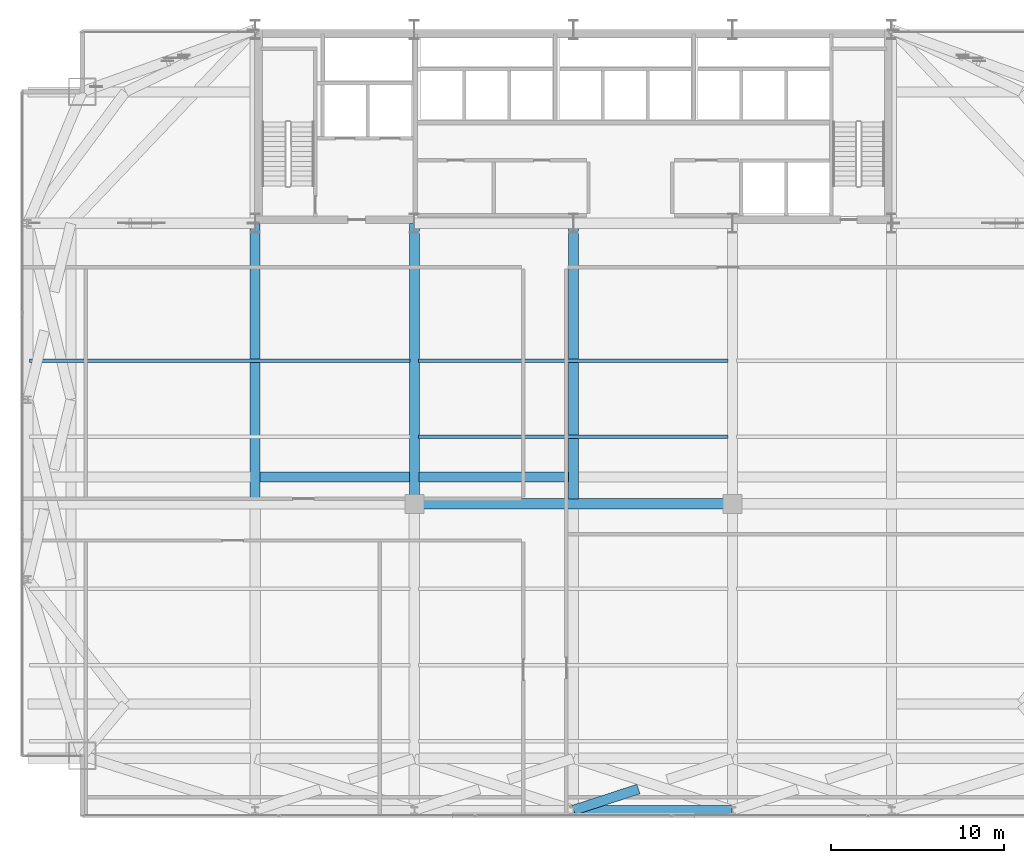
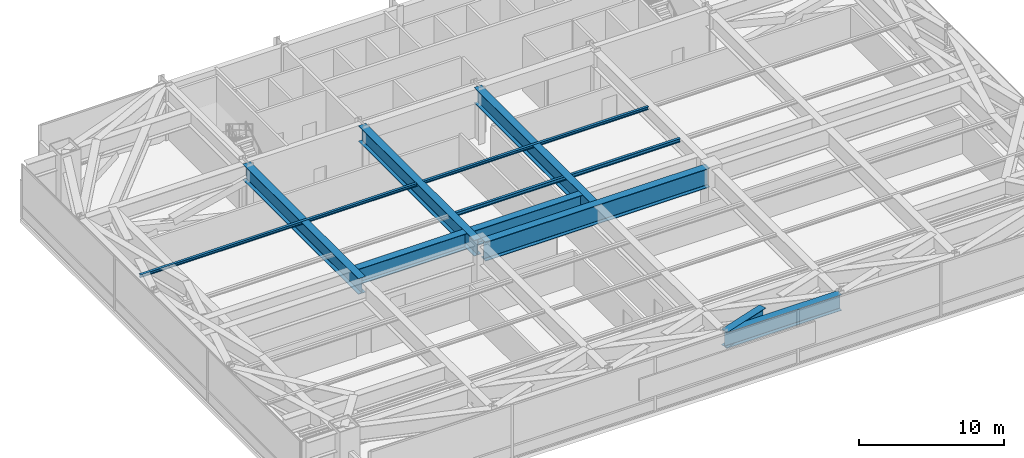
# One storey, part 11 of 30: 11 beams.
"""IFC4 building model written with IfcOpenShell, lengths in metres."""

from ifc_helpers import new_model, si_unit, direction, frame, origin, origin_2d, place, context, subcontext, project, spatial, i_section, extrude, source, transform, mapped, material, material_profile, profile_set, type_object, type_shapes, element, save


model = new_model("IFC4")

# Units and contexts
model_context = context("Model", 3, precision=1e-05, world=origin(), true_north=direction((0.0, 1.0)))
body_context = subcontext(model_context, "Body", "Model", "MODEL_VIEW")
ifc_project = project(units=[si_unit("LENGTHUNIT", "METRE"), si_unit("AREAUNIT", "SQUARE_METRE"), si_unit("VOLUMEUNIT", "CUBIC_METRE"), si_unit("PLANEANGLEUNIT", "RADIAN"), si_unit("MASSUNIT", "GRAM", prefix="KILO")], contexts=[model_context])

# Site, building, storey
site_placement = place(None, origin())
site = spatial("IfcSite", under=ifc_project, at=site_placement, CompositionType="ELEMENT")
building_placement = place(site_placement, origin())
building = spatial("IfcBuilding", under=site, at=building_placement, Name="Varnel Quay Broadcast Tower", CompositionType="ELEMENT")
storey_placement = place(building_placement, frame((0.0, 0.0, 82.199951171875)))
storey = spatial("IfcBuildingStorey", under=building, at=storey_placement, Name="L19", CompositionType="ELEMENT", Elevation=82.199951171875)

# Beams
ifc_material_1 = material(Name="Structural Steel CSA G40.21 350WT", Category="steel")
ifc_material_profile_1 = material_profile(ifc_material_1, i_section(OverallWidth=0.580078125, OverallDepth=1.330078125, WebThickness=0.02197265625, FlangeThickness=0.0380859375, FilletRadius=0.02001953125, at=origin_2d()), Name="WWF1330X535")
ifc_profile_set_1 = profile_set([ifc_material_profile_1], Name="Structural Steel CSA G40.21 350WT")
beam_type_1 = type_object("IfcBeamType", Name="Girder_WWF1330X535", PredefinedType="BEAM", material=ifc_profile_set_1)
shared_shape_1 = source(origin(), body_context, "Body", "SweptSolid", [
    extrude(i_section(OverallWidth=0.580078125, OverallDepth=1.330078125, WebThickness=0.02197265625, FlangeThickness=0.0380859375, FilletRadius=0.02001953125, at=origin_2d()), origin(), (0.0, 0.0, 1.0), 9.159912109375),
])
beam_1_placement = place(storey_placement, frame((34.02001953125, 1.64990234375, 3.885009765625), z_axis=(1.0, 0.0, 0.0), x_axis=(0.0, 1.0, 0.0)))
element("IfcBeam", 1, at=beam_1_placement, inside=storey, type_object=beam_type_1, Name="L19 Perimeter Transfer Spine TC-S3-TC-S4", PredefinedType="BEAM", context=body_context, shape_type="MappedRepresentation", body=[
    mapped(shared_shape_1, transform((0.0, 0.0, 0.0), x_axis=(1.0, 0.0, 0.0), y_axis=(0.0, 1.0, 0.0), z_axis=(0.0, 0.0, 1.0), scale=1.0)),
])
ifc_material_profile_2 = material_profile(ifc_material_1, i_section(OverallWidth=0.60009765625, OverallDepth=1.60009765625, WebThickness=0.02392578125, FlangeThickness=0.0419921875, FilletRadius=0.02197265625, at=origin_2d()), Name="WWF1600X620")
ifc_profile_set_2 = profile_set([ifc_material_profile_2], Name="Structural Steel CSA G40.21 350WT")
beam_type_2 = type_object("IfcBeamType", Name="Girder_WWF1600X620", PredefinedType="BEAM", material=ifc_profile_set_2)
shared_shape_2 = source(origin(), body_context, "Body", "SweptSolid", [
    extrude(i_section(OverallWidth=0.60009765625, OverallDepth=1.60009765625, WebThickness=0.02392578125, FlangeThickness=0.0419921875, FilletRadius=0.02197265625, at=origin_2d()), origin(), (0.0, 0.0, 1.0), 17.830078125),
])
type_shapes(beam_type_2, [shared_shape_2])
beam_2_placement = place(storey_placement, frame((25.0849609375, 19.3701171875, 3.75), z_axis=(1.0, 0.0, 0.0), x_axis=(0.0, 1.0, 0.0)))
element("IfcBeam", 2, at=beam_2_placement, inside=storey, type_object=beam_type_2, Name="L19 Mid Transfer Spine C", PredefinedType="BEAM", context=body_context, shape_type="MappedRepresentation", body=[
    mapped(shared_shape_2, transform((0.0, 0.0, 0.0), x_axis=(1.0, 0.0, 0.0), y_axis=(0.0, 1.0, 0.0), z_axis=(0.0, 0.0, 1.0), scale=1.0)),
])
shared_shape_3 = source(origin(), body_context, "Body", "SweptSolid", [
    extrude(i_section(OverallWidth=0.580078125, OverallDepth=1.330078125, WebThickness=0.02197265625, FlangeThickness=0.0380859375, FilletRadius=0.02001953125, at=origin_2d()), origin(), (0.0, 0.0, 1.0), 15.925048828125),
])
for number, where, z_axis, x_axis, name in (
    (3, (15.60009765625, 19.655029296875, 3.885009765625), (0.0, 1.0, 0.0), (-1.0, 0.0, 0.0), "L19 N-S Transfer Girder 1B"),
    (4, (24.800048828125, 19.655029296875, 3.885009765625), (0.0, 1.0, 0.0), (-1.0, 0.0, 0.0), "L19 N-S Transfer Girder 2B"),
    (5, (34.0, 19.655029296875, 3.885009765625), (0.0, 1.0, 0.0), (-1.0, 0.0, 0.0), "L19 N-S Transfer Girder 3B"),
):
    element("IfcBeam", number, at=place(storey_placement, frame(where, z_axis=z_axis, x_axis=x_axis)), inside=storey, type_object=beam_type_1, Name=name, PredefinedType="BEAM", context=body_context, shape_type="MappedRepresentation", body=[
        mapped(shared_shape_3, transform((0.0, 0.0, 0.0), x_axis=(1.0, 0.0, 0.0), y_axis=(0.0, 1.0, 0.0), z_axis=(0.0, 0.0, 1.0), scale=1.0)),
    ])
shared_shape_4 = source(origin(), body_context, "Body", "SweptSolid", [
    extrude(i_section(OverallWidth=0.580078125, OverallDepth=1.330078125, WebThickness=0.02197265625, FlangeThickness=0.0380859375, FilletRadius=0.02001953125, at=origin_2d()), origin(), (0.0, 0.0, 1.0), 8.6298828125),
])
beam_3_placement = place(storey_placement, frame((15.885009765625, 20.929931640625, 3.885009765625), z_axis=(1.0, 0.0, 0.0), x_axis=(0.0, 1.0, 0.0)))
element("IfcBeam", 6, at=beam_3_placement, inside=storey, type_object=beam_type_1, Name="L19 Setback Interior Column Transfer 2", PredefinedType="BEAM", context=body_context, shape_type="MappedRepresentation", body=[
    mapped(shared_shape_4, transform((0.0, 0.0, 0.0), x_axis=(1.0, 0.0, 0.0), y_axis=(0.0, 1.0, 0.0), z_axis=(0.0, 0.0, 1.0), scale=1.0)),
])
shared_shape_5 = source(origin(), body_context, "Body", "SweptSolid", [
    extrude(i_section(OverallWidth=0.580078125, OverallDepth=1.330078125, WebThickness=0.02197265625, FlangeThickness=0.0380859375, FilletRadius=0.02001953125, at=origin_2d()), origin(), (0.0, 0.0, 1.0), 8.630126953125),
])
beam_4_placement = place(storey_placement, frame((25.0849609375, 20.929931640625, 3.885009765625), z_axis=(1.0, 0.0, 0.0), x_axis=(0.0, 1.0, 0.0)))
element("IfcBeam", 7, at=beam_4_placement, inside=storey, type_object=beam_type_1, Name="L19 Setback Interior Column Transfer 3", PredefinedType="BEAM", context=body_context, shape_type="MappedRepresentation", body=[
    mapped(shared_shape_5, transform((0.0, 0.0, 0.0), x_axis=(1.0, 0.0, 0.0), y_axis=(0.0, 1.0, 0.0), z_axis=(0.0, 0.0, 1.0), scale=1.0)),
])
shared_shape_6 = source(origin(), body_context, "Body", "SweptSolid", [
    extrude(i_section(OverallWidth=0.580078125, OverallDepth=1.330078125, WebThickness=0.02197265625, FlangeThickness=0.0380859375, FilletRadius=0.02001953125, at=origin_2d()), origin(), (0.0, 0.0, 1.0), 3.939453125),
])
type_shapes(beam_type_1, [shared_shape_1, shared_shape_3, shared_shape_4, shared_shape_5, shared_shape_6])
beam_5_placement = place(storey_placement, frame((34.01904296875, 1.65625, 3.885009765625), z_axis=(0.950738972318, 0.309992591065, 0.0), x_axis=(-0.309992591065, 0.950738972318, 0.0)))
element("IfcBeam", 8, at=beam_5_placement, inside=storey, type_object=beam_type_1, Name="L19 X-Braced Transfer Tie TC-S4-TC-S3 Part 1", PredefinedType="BEAM", context=body_context, shape_type="MappedRepresentation", body=[
    mapped(shared_shape_6, transform((0.0, 0.0, 0.0), x_axis=(1.0, 0.0, 0.0), y_axis=(0.0, 1.0, 0.0), z_axis=(0.0, 0.0, 1.0), scale=1.0)),
])
ifc_material_2 = material(Name="Structural Steel CSA G40.21 350W", Category="steel")
ifc_material_profile_3 = material_profile(ifc_material_2, i_section(OverallWidth=0.202880859375, OverallDepth=0.302978515625, WebThickness=0.007568359375, FlangeThickness=0.01318359375, FilletRadius=0.011962890625, at=origin_2d()), Name="W310X60")
ifc_profile_set_3 = profile_set([ifc_material_profile_3], Name="Structural Steel CSA G40.21 350W")
beam_type_3 = type_object("IfcBeamType", Name="Beam_W310X60", PredefinedType="JOIST", material=ifc_profile_set_3)
shared_shape_7 = source(origin(), body_context, "Body", "SweptSolid", [
    extrude(i_section(OverallWidth=0.202880859375, OverallDepth=0.302978515625, WebThickness=0.007568359375, FlangeThickness=0.01318359375, FilletRadius=0.011962890625, at=origin_2d()), origin(), (0.0, 0.0, 1.0), 17.91015625),
])
type_shapes(beam_type_3, [shared_shape_7])
beam_6_placement = place(storey_placement, frame((25.044921875, 23.25, 4.3984375), z_axis=(1.0, 0.0, 0.0), x_axis=(0.0, 1.0, 0.0)))
element("IfcBeam", 9, at=beam_6_placement, inside=storey, type_object=beam_type_3, Name="L19 Central Floor Joist 5", PredefinedType="JOIST", context=body_context, shape_type="MappedRepresentation", body=[
    mapped(shared_shape_7, transform((0.0, 0.0, 0.0), x_axis=(1.0, 0.0, 0.0), y_axis=(0.0, 1.0, 0.0), z_axis=(0.0, 0.0, 1.0), scale=1.0)),
])
ifc_material_profile_4 = material_profile(ifc_material_2, i_section(OverallWidth=0.201904296875, OverallDepth=0.2470703125, WebThickness=0.00732421875, FlangeThickness=0.010986328125, FilletRadius=0.010986328125, at=origin_2d()), Name="W250X49")
ifc_profile_set_4 = profile_set([ifc_material_profile_4], Name="Structural Steel CSA G40.21 350W")
beam_type_4 = type_object("IfcBeamType", Name="Beam_W250X49", PredefinedType="JOIST", material=ifc_profile_set_4)
shared_shape_8 = source(origin(), body_context, "Body", "SweptSolid", [
    extrude(i_section(OverallWidth=0.201904296875, OverallDepth=0.2470703125, WebThickness=0.00732421875, FlangeThickness=0.010986328125, FilletRadius=0.010986328125, at=origin_2d()), origin(), (0.0, 0.0, 1.0), 22.01953125),
])
beam_7_placement = place(storey_placement, frame((2.535400390625, 27.64990234375, 4.426513671875), z_axis=(1.0, 0.0, 0.0), x_axis=(0.0, 1.0, 0.0)))
element("IfcBeam", 10, at=beam_7_placement, inside=storey, type_object=beam_type_4, Name="L19 West Floor Joist 6", PredefinedType="JOIST", context=body_context, shape_type="MappedRepresentation", body=[
    mapped(shared_shape_8, transform((0.0, 0.0, 0.0), x_axis=(1.0, 0.0, 0.0), y_axis=(0.0, 1.0, 0.0), z_axis=(0.0, 0.0, 1.0), scale=1.0)),
])
shared_shape_9 = source(origin(), body_context, "Body", "SweptSolid", [
    extrude(i_section(OverallWidth=0.201904296875, OverallDepth=0.2470703125, WebThickness=0.00732421875, FlangeThickness=0.010986328125, FilletRadius=0.010986328125, at=origin_2d()), origin(), (0.0, 0.0, 1.0), 17.91015625),
])
type_shapes(beam_type_4, [shared_shape_8, shared_shape_9])
beam_8_placement = place(storey_placement, frame((25.044921875, 27.64990234375, 4.426513671875), z_axis=(1.0, 0.0, 0.0), x_axis=(0.0, 1.0, 0.0)))
element("IfcBeam", 11, at=beam_8_placement, inside=storey, type_object=beam_type_4, Name="L19 Central Floor Joist 6", PredefinedType="JOIST", context=body_context, shape_type="MappedRepresentation", body=[
    mapped(shared_shape_9, transform((0.0, 0.0, 0.0), x_axis=(1.0, 0.0, 0.0), y_axis=(0.0, 1.0, 0.0), z_axis=(0.0, 0.0, 1.0), scale=1.0)),
])

save(model, "model.ifc")
